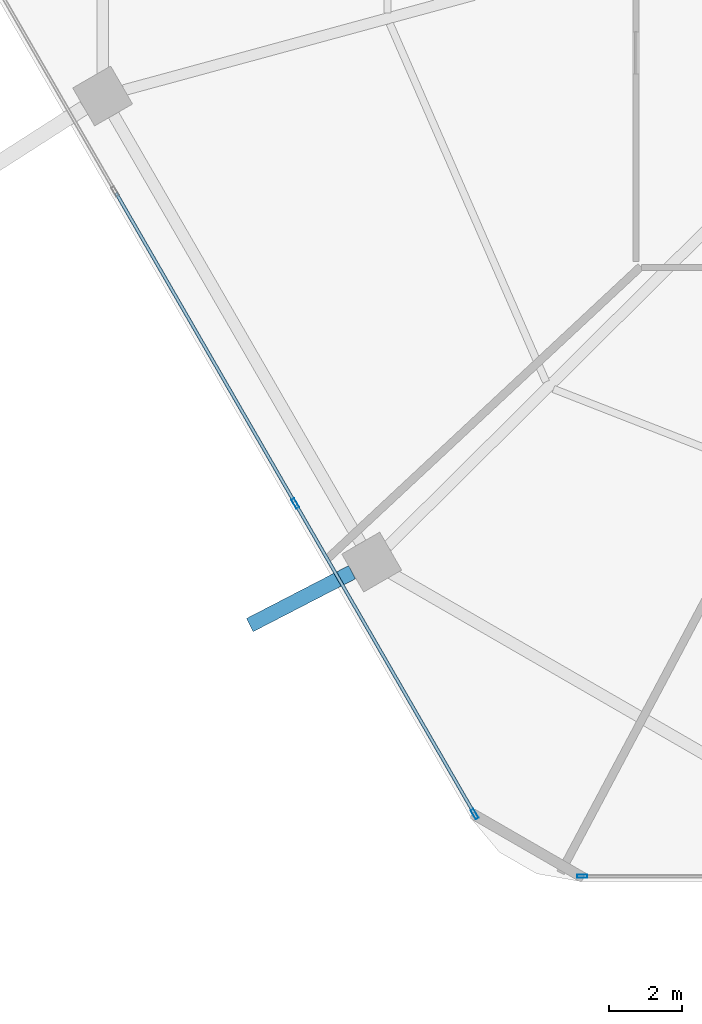
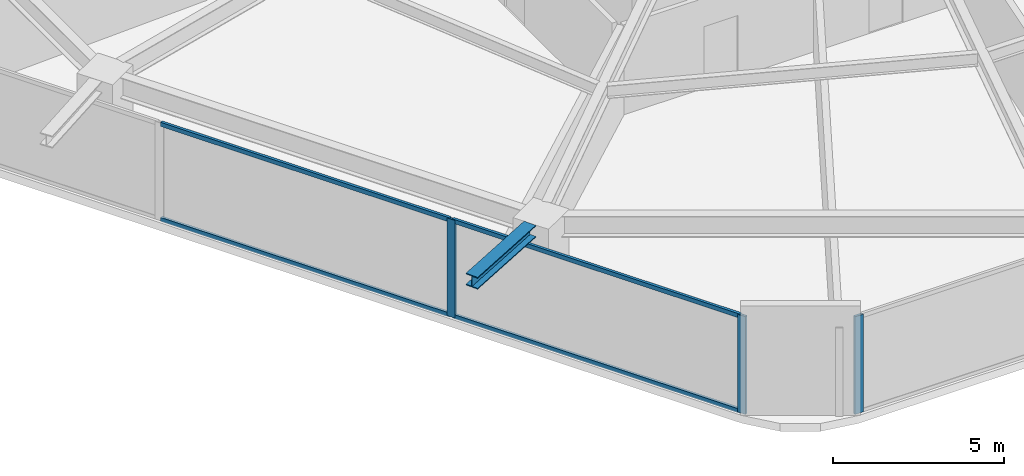
# One storey, part 2 of 26: 7 members, 1 beam, 2 elements without a shape of their own.
"""IFC4 building model written with IfcOpenShell, lengths in metres."""

from ifc_helpers import new_model, si_unit, direction, frame, origin, origin_2d, place, context, subcontext, project, spatial, hollow_rectangle, i_section, extrude, material, material_profile, profile_set, type_object, element, aggregate, save


model = new_model("IFC4")

# Units and contexts
model_context = context("Model", 3, precision=1e-05, world=origin(), true_north=direction((0.0, 1.0)))
body_context = subcontext(model_context, "Body", "Model", "MODEL_VIEW")
ifc_project = project(units=[si_unit("LENGTHUNIT", "METRE"), si_unit("AREAUNIT", "SQUARE_METRE"), si_unit("VOLUMEUNIT", "CUBIC_METRE"), si_unit("PLANEANGLEUNIT", "RADIAN"), si_unit("MASSUNIT", "GRAM", prefix="KILO")], contexts=[model_context])

# Site, building, storey
site_placement = place(None, origin())
site = spatial("IfcSite", under=ifc_project, at=site_placement, CompositionType="ELEMENT")
building_placement = place(site_placement, origin())
building = spatial("IfcBuilding", under=site, at=building_placement, Name="Zuhravey Tower", CompositionType="ELEMENT")
storey_placement = place(building_placement, frame((0.0, 0.0, 28.800048828125)))
storey = spatial("IfcBuildingStorey", under=building, at=storey_placement, Name="L07", CompositionType="ELEMENT", Elevation=28.800048828125)

# Curtain wall, member
ifc_material_1 = material(Name="Thermally broken anodised aluminium", Category="aluminium")
curtain_wall_type = type_object("IfcCurtainWallType", Name="School Low-E Unitised Curtain Wall CW1", PredefinedType="NOTDEFINED", material=ifc_material_1)
curtain_wall_1_placement = place(storey_placement, origin())
curtain_wall_1 = element("IfcCurtainWall", 1, at=curtain_wall_1_placement, inside=storey, type_object=curtain_wall_type, Name="L07 CW1 CW-L07-F5-1", PredefinedType="NOTDEFINED")
ifc_material_2 = material(Name="Anodised aluminium", Category="aluminium")
ifc_material_profile_1 = material_profile(ifc_material_2, hollow_rectangle(XDim=0.090087890625, YDim=0.284912109375, WallThickness=0.0048828125, at=origin_2d()), Name="ALU-RHS-90x285x5")
ifc_profile_set_1 = profile_set([ifc_material_profile_1], Name="Anodised aluminium")
member_type_1 = type_object("IfcMemberType", Name="Curtain-Wall Mullion 90x180", PredefinedType="MULLION", material=ifc_profile_set_1)
member_1_placement = place(storey_placement, frame((21.24560546875, 3.04150390625, 0.0), z_axis=(0.0, 0.0, 1.0), x_axis=(0.0, -1.0, 0.0)))
member_1 = element("IfcMember", 2, at=member_1_placement, type_object=member_type_1, Name="CW1 mullion 4", PredefinedType="MULLION", context=body_context, shape_type="SweptSolid", body=[
    extrude(hollow_rectangle(XDim=0.090087890625, YDim=0.284912109375, WallThickness=0.0048828125, at=origin_2d()), origin(), (0.0, 0.0, 1.0), 3.491943359375),
])
aggregate(curtain_wall_1, [member_1])

# Curtain wall, members
curtain_wall_2_placement = place(storey_placement, origin())
curtain_wall_2 = element("IfcCurtainWall", 3, at=curtain_wall_2_placement, inside=storey, type_object=curtain_wall_type, Name="L07 CW1 CW-L07-F4-1", PredefinedType="NOTDEFINED")
member_2_placement = place(storey_placement, frame((18.298583984375, 4.742919921875, 0.0), z_axis=(0.0, 0.0, 1.0), x_axis=(-0.86602552265, -0.499999794119, 0.0)))
member_2 = element("IfcMember", 4, at=member_2_placement, type_object=member_type_1, Name="CW1 mullion 1", PredefinedType="MULLION", context=body_context, shape_type="SweptSolid", body=[
    extrude(hollow_rectangle(XDim=0.090087890625, YDim=0.284912109375, WallThickness=0.0048828125, at=origin_2d()), origin(), (0.0, 0.0, 1.0), 3.491943359375),
])
member_3_placement = place(storey_placement, frame((13.387939453125, 13.24853515625, 0.0), z_axis=(0.0, 0.0, 1.0), x_axis=(-0.86602552265, -0.499999794119, 0.0)))
member_3 = element("IfcMember", 5, at=member_3_placement, type_object=member_type_1, Name="CW1 mullion 2", PredefinedType="MULLION", context=body_context, shape_type="SweptSolid", body=[
    extrude(hollow_rectangle(XDim=0.090087890625, YDim=0.284912109375, WallThickness=0.0048828125, at=origin_2d()), origin(), (0.0, 0.0, 1.0), 3.491943359375),
])
ifc_material_profile_2 = material_profile(ifc_material_2, hollow_rectangle(XDim=0.090087890625, YDim=0.14990234375, WallThickness=0.0048828125, at=origin_2d()), Name="ALU-RHS-90x150x5")
ifc_profile_set_2 = profile_set([ifc_material_profile_2], Name="Anodised aluminium")
member_type_2 = type_object("IfcMemberType", Name="Curtain-Wall Transom 90x150", PredefinedType="USERDEFINED", material=ifc_profile_set_2)
member_4_placement = place(storey_placement, frame((18.27587890625, 4.781982421875, 0.044921875), z_axis=(-0.499989576763, 0.86603142156, 0.0), x_axis=(-0.86603142156, -0.499989576763, 0.0)))
member_4 = element("IfcMember", 6, at=member_4_placement, type_object=member_type_2, Name="CW1 transom 1.1", ObjectType="TRANSOM", PredefinedType="USERDEFINED", context=body_context, shape_type="SweptSolid", body=[
    extrude(hollow_rectangle(XDim=0.090087890625, YDim=0.14990234375, WallThickness=0.0048828125, at=origin_2d()), origin(), (0.0, 0.0, 1.0), 9.731201171875),
])
member_5_placement = place(storey_placement, frame((18.27587890625, 4.781982421875, 3.447021484375), z_axis=(-0.499989576763, 0.86603142156, 0.0), x_axis=(-0.86603142156, -0.499989576763, 0.0)))
member_5 = element("IfcMember", 7, at=member_5_placement, type_object=member_type_2, Name="CW1 transom 1.2", ObjectType="TRANSOM", PredefinedType="USERDEFINED", context=body_context, shape_type="SweptSolid", body=[
    extrude(hollow_rectangle(XDim=0.090087890625, YDim=0.14990234375, WallThickness=0.0048828125, at=origin_2d()), origin(), (0.0, 0.0, 1.0), 9.731201171875),
])
member_6_placement = place(storey_placement, frame((13.365234375, 13.287353515625, 0.044921875), z_axis=(-0.499990498062, 0.866030889661, 0.0), x_axis=(-0.866030889661, -0.499990498062, 0.0)))
member_6 = element("IfcMember", 8, at=member_6_placement, type_object=member_type_2, Name="CW1 transom 2.1", ObjectType="TRANSOM", PredefinedType="USERDEFINED", context=body_context, shape_type="SweptSolid", body=[
    extrude(hollow_rectangle(XDim=0.090087890625, YDim=0.14990234375, WallThickness=0.0048828125, at=origin_2d()), origin(), (0.0, 0.0, 1.0), 9.776611328125),
])
member_7_placement = place(storey_placement, frame((13.365234375, 13.287353515625, 3.447021484375), z_axis=(-0.499990498062, 0.866030889661, 0.0), x_axis=(-0.866030889661, -0.499990498062, 0.0)))
member_7 = element("IfcMember", 9, at=member_7_placement, type_object=member_type_2, Name="CW1 transom 2.2", ObjectType="TRANSOM", PredefinedType="USERDEFINED", context=body_context, shape_type="SweptSolid", body=[
    extrude(hollow_rectangle(XDim=0.090087890625, YDim=0.14990234375, WallThickness=0.0048828125, at=origin_2d()), origin(), (0.0, 0.0, 1.0), 9.776611328125),
])
aggregate(curtain_wall_2, [member_2, member_3, member_4, member_5, member_6, member_7])

# Beam
ifc_material_3 = material(Name="Steel SM460", Category="steel")
ifc_material_profile_3 = material_profile(ifc_material_3, i_section(OverallWidth=0.406982421875, OverallDepth=0.427978515625, WebThickness=0.02001953125, FlangeThickness=0.034912109375, at=origin_2d()), Name="H-428x407x20x35")
ifc_profile_set_3 = profile_set([ifc_material_profile_3], Name="Steel SM460")
beam_type = type_object("IfcBeamType", Name="Exoskeleton Node Tie Beam H428x407", PredefinedType="BEAM", material=ifc_profile_set_3)
beam_placement = place(storey_placement, frame((14.94384765625, 11.365478515625, 3.7060546875), z_axis=(-0.888436426632, -0.458999690449, 0.0), x_axis=(0.458999690449, -0.888436426632, 0.0)))
element("IfcBeam", 10, at=beam_placement, inside=storey, type_object=beam_type, Name="L07 Exoskeleton Node Tie NT1-08", PredefinedType="BEAM", context=body_context, shape_type="SweptSolid", body=[
    extrude(i_section(OverallWidth=0.406982421875, OverallDepth=0.427978515625, WebThickness=0.02001953125, FlangeThickness=0.034912109375, at=origin_2d()), origin(), (0.0, 0.0, 1.0), 3.15478515625),
])

save(model, "model.ifc")
